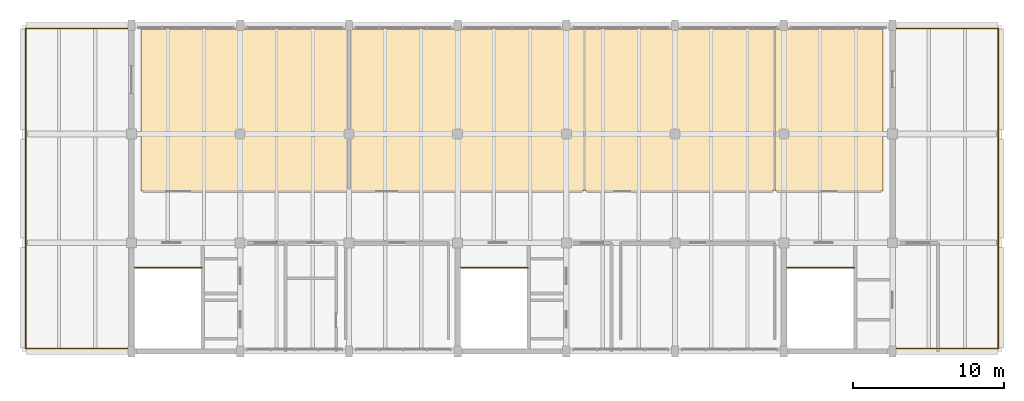
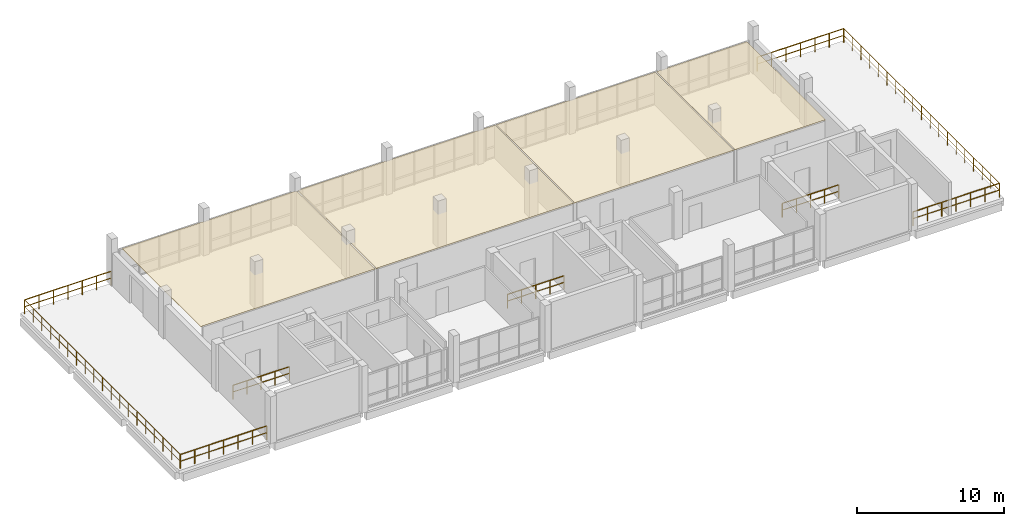
# One storey, part 10 of 10: 9 railings, 4 coverings.
"""IFC4 building model written with IfcOpenShell, lengths in metres."""

from ifc_helpers import new_model, si_unit, direction, frame, origin, origin_2d, place, context, subcontext, project, spatial, polyline, circle, outline, extrude, material, layer, layer_set, type_object, element, save


model = new_model("IFC4")

# Units and contexts
model_context = context("Model", 3, precision=1e-05, world=origin(), true_north=direction((0.0, 1.0)))
body_context = subcontext(model_context, "Body", "Model", "MODEL_VIEW")
ifc_project = project(units=[si_unit("LENGTHUNIT", "METRE"), si_unit("AREAUNIT", "SQUARE_METRE"), si_unit("VOLUMEUNIT", "CUBIC_METRE"), si_unit("PLANEANGLEUNIT", "RADIAN"), si_unit("MASSUNIT", "GRAM", prefix="KILO")], contexts=[model_context])

# Site, building, storey
site_placement = place(None, origin())
site = spatial("IfcSite", under=ifc_project, at=site_placement, CompositionType="ELEMENT")
building_placement = place(site_placement, origin())
building = spatial("IfcBuilding", under=site, at=building_placement, Name="Qiaolan Assembly House", CompositionType="ELEMENT")
storey_placement = place(building_placement, frame((0.0, 0.0, 30.300048828125)))
storey = spatial("IfcBuildingStorey", under=building, at=storey_placement, Name="L07", CompositionType="ELEMENT", Elevation=30.300048828125)

# Coverings
ifc_material_1 = material(Name="Gypsum plasterboard acoustic ceiling")
ifc_layer_1 = layer(ifc_material_1, 0.044921875)
ifc_layer_set_1 = layer_set([ifc_layer_1], Name="Gypsum plasterboard acoustic ceiling")
covering_type_1 = type_object("IfcCoveringType", Name="COV-CEIL-ACOUSTIC", PredefinedType="CEILING", material=ifc_layer_set_1)
covering_1_placement = place(storey_placement, frame((0.0, 0.0, 2.73486328125)))
element("IfcCovering", 1, at=covering_1_placement, inside=storey, type_object=covering_type_1, Name="Suspended ceiling Mayor & Council Executive Reception Hall", PredefinedType="CEILING", context=body_context, shape_type="SweptSolid", body=[
    extrude(outline(polyline([(43.840087890625, 104.239990234375), (57.56005859375, 104.239990234375), (57.56005859375, 114.949951171875), (43.840087890625, 114.949951171875), (43.840087890625, 104.239990234375)])), origin(), (0.0, 0.0, 1.0), 0.045166015625),
])
covering_2_placement = place(storey_placement, frame((0.0, 0.0, 2.73486328125)))
element("IfcCovering", 2, at=covering_2_placement, inside=storey, type_object=covering_type_1, Name="Suspended ceiling Senior Secretariat & Chief Clerk Suite", PredefinedType="CEILING", context=body_context, shape_type="SweptSolid", body=[
    extrude(outline(polyline([(73.239990234375, 104.239990234375), (85.760009765625, 104.239990234375), (85.760009765625, 114.949951171875), (73.239990234375, 114.949951171875), (73.239990234375, 104.239990234375)])), origin(), (0.0, 0.0, 1.0), 0.045166015625),
])
covering_3_placement = place(storey_placement, frame((0.0, 0.0, 2.73486328125)))
element("IfcCovering", 3, at=covering_3_placement, inside=storey, type_object=covering_type_1, Name="Suspended ceiling Attic Terrace Hospitality Pantry", PredefinedType="CEILING", context=body_context, shape_type="SweptSolid", body=[
    extrude(outline(polyline([(85.840087890625, 104.239990234375), (92.9599609375, 104.239990234375), (92.9599609375, 114.949951171875), (85.840087890625, 114.949951171875), (85.840087890625, 104.239990234375)])), origin(), (0.0, 0.0, 1.0), 0.045166015625),
])
ifc_layer_2 = layer(ifc_material_1, 0.052001953125)
ifc_layer_set_2 = layer_set([ifc_layer_2], Name="Gypsum plasterboard acoustic ceiling")
covering_type_2 = type_object("IfcCoveringType", Name="COV-CEIL-GYPSUM", PredefinedType="CEILING", material=ifc_layer_set_2)
covering_4_placement = place(storey_placement, frame((0.0, 0.0, 2.72802734375)))
element("IfcCovering", 4, at=covering_4_placement, inside=storey, type_object=covering_type_2, Name="Suspended ceiling Civic Assembly Presidium Boardroom", PredefinedType="CEILING", context=body_context, shape_type="SweptSolid", body=[
    extrude(outline(polyline([(57.639892578125, 104.239990234375), (73.159912109375, 104.239990234375), (73.159912109375, 114.949951171875), (57.639892578125, 114.949951171875), (57.639892578125, 104.239990234375)])), origin(), (0.0, 0.0, 1.0), 0.052001953125),
])

# Railings
ifc_material_2 = material(Name="Anodised bronze aluminium", Category="aluminium")
railing_type_1 = type_object("IfcRailingType", Name="RAL-GUARD-STAIRWELL-1150", PredefinedType="GUARDRAIL", material=ifc_material_2)
railing_1_placement = place(storey_placement, frame((43.419921875, 99.14990234375, 0.0)))
element("IfcRailing", 5, at=railing_1_placement, inside=storey, type_object=railing_type_1, Name="GR-01 top stairwell guard CORE-A L07", PredefinedType="GUARDRAIL", context=body_context, shape_type="SweptSolid", body=[
    extrude(circle(Radius=0.02392578125, at=origin_2d()), frame((0.0, 0.0, 1.1259765625), z_axis=(1.0, 0.0, 0.0), x_axis=(0.0, 1.0, 0.0)), (0.0, 0.0, 1.0), 4.440185546875),
    extrude(circle(Radius=0.01611328125, at=origin_2d()), frame((0.0, 0.0, 0.574951171875), z_axis=(1.0, 0.0, 0.0), x_axis=(0.0, 1.0, 0.0)), (0.0, 0.0, 1.0), 4.440185546875),
    extrude(circle(Radius=0.02099609375, at=origin_2d()), origin(), (0.0, 0.0, 1.0), 1.101806640625),
    extrude(circle(Radius=0.02099609375, at=origin_2d()), frame((1.110107421875, 0.0, 0.0)), (0.0, 0.0, 1.0), 1.101806640625),
    extrude(circle(Radius=0.02099609375, at=origin_2d()), frame((2.22021484375, 0.0, 0.0)), (0.0, 0.0, 1.0), 1.101806640625),
    extrude(circle(Radius=0.02099609375, at=origin_2d()), frame((3.330078125, 0.0, 0.0)), (0.0, 0.0, 1.0), 1.101806640625),
    extrude(circle(Radius=0.02099609375, at=origin_2d()), frame((4.440185546875, 0.0, 0.0)), (0.0, 0.0, 1.0), 1.101806640625),
])
for number, where, name in (
    (6, (65.02001953125, 99.14990234375, 0.0), "GR-01 top stairwell guard CORE-B L07"),
    (7, (86.6201171875, 99.14990234375, 0.0), "GR-01 top stairwell guard CORE-G L07"),
):
    element("IfcRailing", number, at=place(storey_placement, frame(where)), inside=storey, type_object=railing_type_1, Name=name, PredefinedType="GUARDRAIL", context=body_context, shape_type="SweptSolid", body=[
        extrude(circle(Radius=0.02392578125, at=origin_2d()), frame((0.0, 0.0, 1.1259765625), z_axis=(1.0, 0.0, 0.0), x_axis=(0.0, 1.0, 0.0)), (0.0, 0.0, 1.0), 4.43994140625),
        extrude(circle(Radius=0.01611328125, at=origin_2d()), frame((0.0, 0.0, 0.574951171875), z_axis=(1.0, 0.0, 0.0), x_axis=(0.0, 1.0, 0.0)), (0.0, 0.0, 1.0), 4.43994140625),
        extrude(circle(Radius=0.02099609375, at=origin_2d()), origin(), (0.0, 0.0, 1.0), 1.101806640625),
        extrude(circle(Radius=0.02099609375, at=origin_2d()), frame((1.10986328125, 0.0, 0.0)), (0.0, 0.0, 1.0), 1.101806640625),
        extrude(circle(Radius=0.02099609375, at=origin_2d()), frame((2.219970703125, 0.0, 0.0)), (0.0, 0.0, 1.0), 1.101806640625),
        extrude(circle(Radius=0.02099609375, at=origin_2d()), frame((3.330078125, 0.0, 0.0)), (0.0, 0.0, 1.0), 1.101806640625),
        extrude(circle(Radius=0.02099609375, at=origin_2d()), frame((4.43994140625, 0.0, 0.0)), (0.0, 0.0, 1.0), 1.101806640625),
    ])
railing_type_2 = type_object("IfcRailingType", Name="RAL-GUARD-TERRACE-1180", PredefinedType="GUARDRAIL", material=ifc_material_2)
railing_2_placement = place(storey_placement, frame((43.0, 93.800048828125, 0.0)))
element("IfcRailing", 8, at=railing_2_placement, inside=storey, type_object=railing_type_2, Name="GR-03 L07 Attic West Terrace Guard seg 1", PredefinedType="GUARDRAIL", context=body_context, shape_type="SweptSolid", body=[
    extrude(circle(Radius=0.02392578125, at=origin_2d()), frame((0.0, 0.0, 1.15576171875), z_axis=(-1.0, 0.0, 0.0), x_axis=(0.0, -1.0, 0.0)), (0.0, 0.0, 1.0), 6.800048828125),
    extrude(circle(Radius=0.01611328125, at=origin_2d()), frame((0.0, 0.0, 0.58984375), z_axis=(-1.0, 0.0, 0.0), x_axis=(0.0, -1.0, 0.0)), (0.0, 0.0, 1.0), 6.800048828125),
    extrude(circle(Radius=0.02099609375, at=origin_2d()), origin(), (0.0, 0.0, 1.0), 1.1318359375),
    extrude(circle(Radius=0.02099609375, at=origin_2d()), frame((-1.13330078125, 0.0, 0.0)), (0.0, 0.0, 1.0), 1.1318359375),
    extrude(circle(Radius=0.02099609375, at=origin_2d()), frame((-2.2666015625, 0.0, 0.0)), (0.0, 0.0, 1.0), 1.1318359375),
    extrude(circle(Radius=0.02099609375, at=origin_2d()), frame((-3.39990234375, 0.0, 0.0)), (0.0, 0.0, 1.0), 1.1318359375),
    extrude(circle(Radius=0.02099609375, at=origin_2d()), frame((-4.533447265625, 0.0, 0.0)), (0.0, 0.0, 1.0), 1.1318359375),
    extrude(circle(Radius=0.02099609375, at=origin_2d()), frame((-5.666748046875, 0.0, 0.0)), (0.0, 0.0, 1.0), 1.1318359375),
    extrude(circle(Radius=0.02099609375, at=origin_2d()), frame((-6.800048828125, 0.0, 0.0)), (0.0, 0.0, 1.0), 1.1318359375),
])
railing_3_placement = place(storey_placement, frame((36.199951171875, 93.800048828125, 0.0)))
element("IfcRailing", 9, at=railing_3_placement, inside=storey, type_object=railing_type_2, Name="GR-03 L07 Attic West Terrace Guard seg 2", PredefinedType="GUARDRAIL", context=body_context, shape_type="SweptSolid", body=[
    extrude(circle(Radius=0.02392578125, at=origin_2d()), frame((0.0, 0.0, 1.15576171875), z_axis=(0.0, 1.0, 0.0), x_axis=(-1.0, 0.0, 0.0)), (0.0, 0.0, 1.0), 21.199951171875),
    extrude(circle(Radius=0.01611328125, at=origin_2d()), frame((0.0, 0.0, 0.58984375), z_axis=(0.0, 1.0, 0.0), x_axis=(-1.0, 0.0, 0.0)), (0.0, 0.0, 1.0), 21.199951171875),
    extrude(circle(Radius=0.02099609375, at=origin_2d()), origin(), (0.0, 0.0, 1.0), 1.1318359375),
    extrude(circle(Radius=0.02099609375, at=origin_2d()), frame((0.0, 1.177734375, 0.0)), (0.0, 0.0, 1.0), 1.1318359375),
    extrude(circle(Radius=0.02099609375, at=origin_2d()), frame((0.0, 2.35546875, 0.0)), (0.0, 0.0, 1.0), 1.1318359375),
    extrude(circle(Radius=0.02099609375, at=origin_2d()), frame((0.0, 3.533203125, 0.0)), (0.0, 0.0, 1.0), 1.1318359375),
    extrude(circle(Radius=0.02099609375, at=origin_2d()), frame((0.0, 4.711181640625, 0.0)), (0.0, 0.0, 1.0), 1.1318359375),
    extrude(circle(Radius=0.02099609375, at=origin_2d()), frame((0.0, 5.888916015625, 0.0)), (0.0, 0.0, 1.0), 1.1318359375),
    extrude(circle(Radius=0.02099609375, at=origin_2d()), frame((0.0, 7.066650390625, 0.0)), (0.0, 0.0, 1.0), 1.1318359375),
    extrude(circle(Radius=0.02099609375, at=origin_2d()), frame((0.0, 8.244384765625, 0.0)), (0.0, 0.0, 1.0), 1.1318359375),
    extrude(circle(Radius=0.02099609375, at=origin_2d()), frame((0.0, 9.422119140625, 0.0)), (0.0, 0.0, 1.0), 1.1318359375),
    extrude(circle(Radius=0.02099609375, at=origin_2d()), frame((0.0, 10.60009765625, 0.0)), (0.0, 0.0, 1.0), 1.1318359375),
    extrude(circle(Radius=0.02099609375, at=origin_2d()), frame((0.0, 11.77783203125, 0.0)), (0.0, 0.0, 1.0), 1.1318359375),
    extrude(circle(Radius=0.02099609375, at=origin_2d()), frame((0.0, 12.95556640625, 0.0)), (0.0, 0.0, 1.0), 1.1318359375),
    extrude(circle(Radius=0.02099609375, at=origin_2d()), frame((0.0, 14.13330078125, 0.0)), (0.0, 0.0, 1.0), 1.1318359375),
    extrude(circle(Radius=0.02099609375, at=origin_2d()), frame((0.0, 15.31103515625, 0.0)), (0.0, 0.0, 1.0), 1.1318359375),
    extrude(circle(Radius=0.02099609375, at=origin_2d()), frame((0.0, 16.48876953125, 0.0)), (0.0, 0.0, 1.0), 1.1318359375),
    extrude(circle(Radius=0.02099609375, at=origin_2d()), frame((0.0, 17.66650390625, 0.0)), (0.0, 0.0, 1.0), 1.1318359375),
    extrude(circle(Radius=0.02099609375, at=origin_2d()), frame((0.0, 18.844482421875, 0.0)), (0.0, 0.0, 1.0), 1.1318359375),
    extrude(circle(Radius=0.02099609375, at=origin_2d()), frame((0.0, 20.022216796875, 0.0)), (0.0, 0.0, 1.0), 1.1318359375),
    extrude(circle(Radius=0.02099609375, at=origin_2d()), frame((0.0, 21.199951171875, 0.0)), (0.0, 0.0, 1.0), 1.1318359375),
])
for number, where, name in (
    (10, (36.199951171875, 115.0, 0.0), "GR-03 L07 Attic West Terrace Guard seg 3"),
    (11, (93.800048828125, 93.800048828125, 0.0), "GR-03 L07 Attic East Terrace Guard seg 1"),
):
    element("IfcRailing", number, at=place(storey_placement, frame(where)), inside=storey, type_object=railing_type_2, Name=name, PredefinedType="GUARDRAIL", context=body_context, shape_type="SweptSolid", body=[
        extrude(circle(Radius=0.02392578125, at=origin_2d()), frame((0.0, 0.0, 1.15576171875), z_axis=(1.0, 0.0, 0.0), x_axis=(0.0, 1.0, 0.0)), (0.0, 0.0, 1.0), 6.800048828125),
        extrude(circle(Radius=0.01611328125, at=origin_2d()), frame((0.0, 0.0, 0.58984375), z_axis=(1.0, 0.0, 0.0), x_axis=(0.0, 1.0, 0.0)), (0.0, 0.0, 1.0), 6.800048828125),
        extrude(circle(Radius=0.02099609375, at=origin_2d()), origin(), (0.0, 0.0, 1.0), 1.1318359375),
        extrude(circle(Radius=0.02099609375, at=origin_2d()), frame((1.13330078125, 0.0, 0.0)), (0.0, 0.0, 1.0), 1.1318359375),
        extrude(circle(Radius=0.02099609375, at=origin_2d()), frame((2.2666015625, 0.0, 0.0)), (0.0, 0.0, 1.0), 1.1318359375),
        extrude(circle(Radius=0.02099609375, at=origin_2d()), frame((3.39990234375, 0.0, 0.0)), (0.0, 0.0, 1.0), 1.1318359375),
        extrude(circle(Radius=0.02099609375, at=origin_2d()), frame((4.533447265625, 0.0, 0.0)), (0.0, 0.0, 1.0), 1.1318359375),
        extrude(circle(Radius=0.02099609375, at=origin_2d()), frame((5.666748046875, 0.0, 0.0)), (0.0, 0.0, 1.0), 1.1318359375),
        extrude(circle(Radius=0.02099609375, at=origin_2d()), frame((6.800048828125, 0.0, 0.0)), (0.0, 0.0, 1.0), 1.1318359375),
    ])
railing_4_placement = place(storey_placement, frame((100.60009765625, 93.800048828125, 0.0)))
element("IfcRailing", 12, at=railing_4_placement, inside=storey, type_object=railing_type_2, Name="GR-03 L07 Attic East Terrace Guard seg 2", PredefinedType="GUARDRAIL", context=body_context, shape_type="SweptSolid", body=[
    extrude(circle(Radius=0.02392578125, at=origin_2d()), frame((0.0, 0.0, 1.15576171875), z_axis=(0.0, 1.0, 0.0), x_axis=(-1.0, 0.0, 0.0)), (0.0, 0.0, 1.0), 21.199951171875),
    extrude(circle(Radius=0.01611328125, at=origin_2d()), frame((0.0, 0.0, 0.58984375), z_axis=(0.0, 1.0, 0.0), x_axis=(-1.0, 0.0, 0.0)), (0.0, 0.0, 1.0), 21.199951171875),
    extrude(circle(Radius=0.02099609375, at=origin_2d()), origin(), (0.0, 0.0, 1.0), 1.1318359375),
    extrude(circle(Radius=0.02099609375, at=origin_2d()), frame((0.0, 1.177734375, 0.0)), (0.0, 0.0, 1.0), 1.1318359375),
    extrude(circle(Radius=0.02099609375, at=origin_2d()), frame((0.0, 2.35546875, 0.0)), (0.0, 0.0, 1.0), 1.1318359375),
    extrude(circle(Radius=0.02099609375, at=origin_2d()), frame((0.0, 3.533203125, 0.0)), (0.0, 0.0, 1.0), 1.1318359375),
    extrude(circle(Radius=0.02099609375, at=origin_2d()), frame((0.0, 4.711181640625, 0.0)), (0.0, 0.0, 1.0), 1.1318359375),
    extrude(circle(Radius=0.02099609375, at=origin_2d()), frame((0.0, 5.888916015625, 0.0)), (0.0, 0.0, 1.0), 1.1318359375),
    extrude(circle(Radius=0.02099609375, at=origin_2d()), frame((0.0, 7.066650390625, 0.0)), (0.0, 0.0, 1.0), 1.1318359375),
    extrude(circle(Radius=0.02099609375, at=origin_2d()), frame((0.0, 8.244384765625, 0.0)), (0.0, 0.0, 1.0), 1.1318359375),
    extrude(circle(Radius=0.02099609375, at=origin_2d()), frame((0.0, 9.422119140625, 0.0)), (0.0, 0.0, 1.0), 1.1318359375),
    extrude(circle(Radius=0.02099609375, at=origin_2d()), frame((0.0, 10.60009765625, 0.0)), (0.0, 0.0, 1.0), 1.1318359375),
    extrude(circle(Radius=0.02099609375, at=origin_2d()), frame((0.0, 11.77783203125, 0.0)), (0.0, 0.0, 1.0), 1.1318359375),
    extrude(circle(Radius=0.02099609375, at=origin_2d()), frame((0.0, 12.95556640625, 0.0)), (0.0, 0.0, 1.0), 1.1318359375),
    extrude(circle(Radius=0.02099609375, at=origin_2d()), frame((0.0, 14.13330078125, 0.0)), (0.0, 0.0, 1.0), 1.1318359375),
    extrude(circle(Radius=0.02099609375, at=origin_2d()), frame((0.0, 15.31103515625, 0.0)), (0.0, 0.0, 1.0), 1.1318359375),
    extrude(circle(Radius=0.02099609375, at=origin_2d()), frame((0.0, 16.48876953125, 0.0)), (0.0, 0.0, 1.0), 1.1318359375),
    extrude(circle(Radius=0.02099609375, at=origin_2d()), frame((0.0, 17.66650390625, 0.0)), (0.0, 0.0, 1.0), 1.1318359375),
    extrude(circle(Radius=0.02099609375, at=origin_2d()), frame((0.0, 18.844482421875, 0.0)), (0.0, 0.0, 1.0), 1.1318359375),
    extrude(circle(Radius=0.02099609375, at=origin_2d()), frame((0.0, 20.022216796875, 0.0)), (0.0, 0.0, 1.0), 1.1318359375),
    extrude(circle(Radius=0.02099609375, at=origin_2d()), frame((0.0, 21.199951171875, 0.0)), (0.0, 0.0, 1.0), 1.1318359375),
])
railing_5_placement = place(storey_placement, frame((100.60009765625, 115.0, 0.0)))
element("IfcRailing", 13, at=railing_5_placement, inside=storey, type_object=railing_type_2, Name="GR-03 L07 Attic East Terrace Guard seg 3", PredefinedType="GUARDRAIL", context=body_context, shape_type="SweptSolid", body=[
    extrude(circle(Radius=0.02392578125, at=origin_2d()), frame((0.0, 0.0, 1.15576171875), z_axis=(-1.0, 0.0, 0.0), x_axis=(0.0, -1.0, 0.0)), (0.0, 0.0, 1.0), 6.800048828125),
    extrude(circle(Radius=0.01611328125, at=origin_2d()), frame((0.0, 0.0, 0.58984375), z_axis=(-1.0, 0.0, 0.0), x_axis=(0.0, -1.0, 0.0)), (0.0, 0.0, 1.0), 6.800048828125),
    extrude(circle(Radius=0.02099609375, at=origin_2d()), origin(), (0.0, 0.0, 1.0), 1.1318359375),
    extrude(circle(Radius=0.02099609375, at=origin_2d()), frame((-1.13330078125, 0.0, 0.0)), (0.0, 0.0, 1.0), 1.1318359375),
    extrude(circle(Radius=0.02099609375, at=origin_2d()), frame((-2.2666015625, 0.0, 0.0)), (0.0, 0.0, 1.0), 1.1318359375),
    extrude(circle(Radius=0.02099609375, at=origin_2d()), frame((-3.39990234375, 0.0, 0.0)), (0.0, 0.0, 1.0), 1.1318359375),
    extrude(circle(Radius=0.02099609375, at=origin_2d()), frame((-4.533447265625, 0.0, 0.0)), (0.0, 0.0, 1.0), 1.1318359375),
    extrude(circle(Radius=0.02099609375, at=origin_2d()), frame((-5.666748046875, 0.0, 0.0)), (0.0, 0.0, 1.0), 1.1318359375),
    extrude(circle(Radius=0.02099609375, at=origin_2d()), frame((-6.800048828125, 0.0, 0.0)), (0.0, 0.0, 1.0), 1.1318359375),
])

save(model, "model.ifc")
